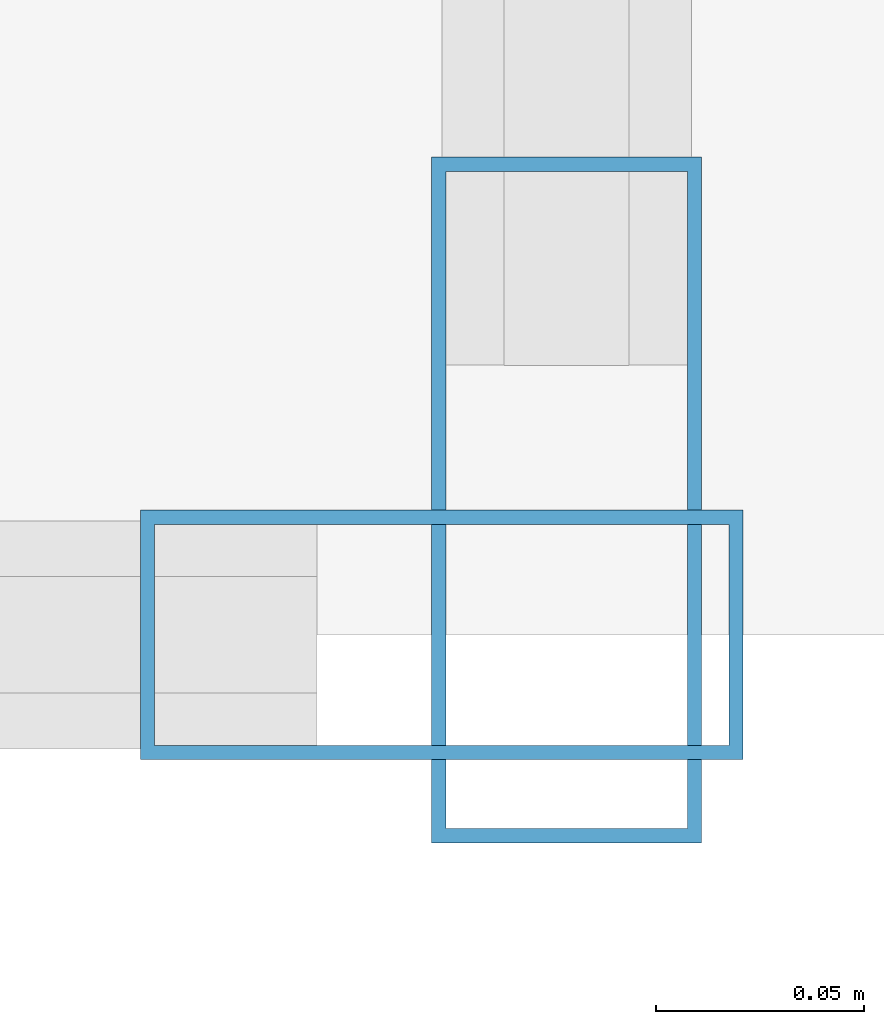
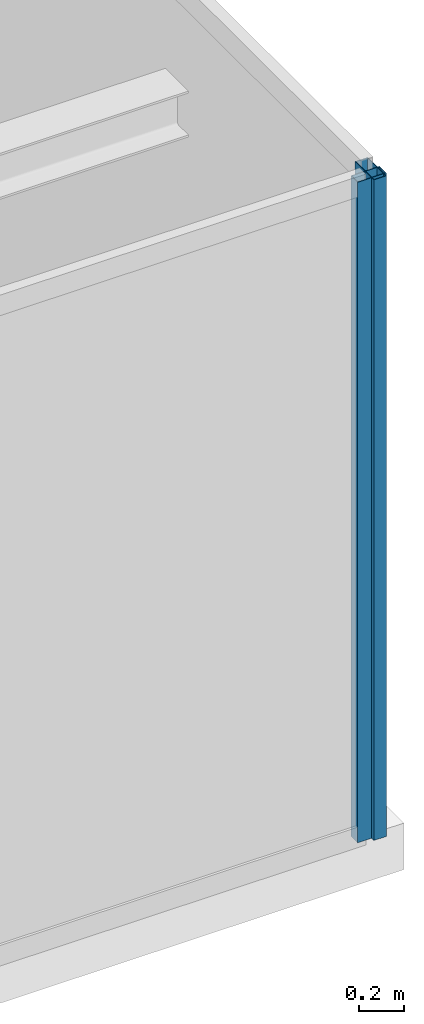
# One storey, part 17 of 30: 2 members, 2 elements without a shape of their own.
"""IFC4 building model written with IfcOpenShell, lengths in metres."""

from ifc_helpers import new_model, si_unit, direction, frame, origin, origin_2d, place, context, subcontext, project, spatial, hollow_rectangle, extrude, source, transform, mapped, material, layer, layer_set, material_profile, profile_set, type_object, type_shapes, element, aggregate, save


model = new_model("IFC4")

# Units and contexts
model_context = context("Model", 3, precision=1e-05, world=origin(), true_north=direction((0.0, 1.0)))
body_context = subcontext(model_context, "Body", "Model", "MODEL_VIEW")
ifc_project = project(units=[si_unit("LENGTHUNIT", "METRE"), si_unit("AREAUNIT", "SQUARE_METRE"), si_unit("VOLUMEUNIT", "CUBIC_METRE"), si_unit("PLANEANGLEUNIT", "RADIAN"), si_unit("MASSUNIT", "GRAM", prefix="KILO")], contexts=[model_context])

# Site, building, storey
site_placement = place(None, origin())
site = spatial("IfcSite", under=ifc_project, at=site_placement, CompositionType="ELEMENT")
building_placement = place(site_placement, origin())
building = spatial("IfcBuilding", under=site, at=building_placement, Name="Varnel Quay Broadcast Tower", CompositionType="ELEMENT")
storey_placement = place(building_placement, frame((0.0, 0.0, 222.60009765625)))
storey = spatial("IfcBuildingStorey", under=building, at=storey_placement, Name="L55", CompositionType="ELEMENT", Elevation=222.60009765625)

# Curtain wall, member
ifc_material = material(Name="Anodised Bronze Aluminium 6063-T6", Category="aluminium")
ifc_layer_1 = layer(ifc_material, 0.18994140625, Name="Anodised Bronze Aluminium 6063-T6")
ifc_layer_set_1 = layer_set([ifc_layer_1], Name="Anodised Bronze Aluminium 6063-T6")
curtain_wall_type_1 = type_object("IfcCurtainWallType", Name="CW_NotchCorner", PredefinedType="NOTDEFINED", material=ifc_layer_set_1)
curtain_wall_1_placement = place(storey_placement, origin())
curtain_wall_1 = element("IfcCurtainWall", 1, at=curtain_wall_1_placement, inside=storey, type_object=curtain_wall_type_1, Name="L55 SE Notch Curtain Wall", PredefinedType="NOTDEFINED")
ifc_material_profile_1 = material_profile(ifc_material, hollow_rectangle(XDim=0.06005859375, YDim=0.14501953125, WallThickness=0.00341796875, at=origin_2d()), Name="ALU60X145X3.5")
ifc_profile_set_1 = profile_set([ifc_material_profile_1], Name="Anodised Bronze Aluminium 6063-T6")
member_type_1 = type_object("IfcMemberType", Name="Mull_CWS-04", PredefinedType="MULLION", material=ifc_profile_set_1)
shared_shape_1 = source(origin(), body_context, "Body", "SweptSolid", [
    extrude(hollow_rectangle(XDim=0.06005859375, YDim=0.14501953125, WallThickness=0.00341796875, at=origin_2d()), origin(), (0.0, 0.0, 1.0), 3.5498046875),
])
type_shapes(member_type_1, [shared_shape_1])
member_1_placement = place(storey_placement, frame((58.320068359375, 13.60009765625, 0.0), z_axis=(0.0, 0.0, 1.0), x_axis=(0.0, 1.0, 0.0)))
member_1 = element("IfcMember", 2, at=member_1_placement, type_object=member_type_1, Name="CWS-04 mullion 2", PredefinedType="MULLION", context=body_context, shape_type="MappedRepresentation", body=[
    mapped(shared_shape_1, transform((0.0, 0.0, 0.0), x_axis=(1.0, 0.0, 0.0), y_axis=(0.0, 1.0, 0.0), z_axis=(0.0, 0.0, 1.0), scale=1.0)),
])
aggregate(curtain_wall_1, [member_1])

ifc_layer_2 = layer(ifc_material, 0.18994140625, Name="Anodised Bronze Aluminium 6063-T6")
ifc_layer_set_2 = layer_set([ifc_layer_2], Name="Anodised Bronze Aluminium 6063-T6")
curtain_wall_type_2 = type_object("IfcCurtainWallType", Name="CW_UpperTower", PredefinedType="NOTDEFINED", material=ifc_layer_set_2)
curtain_wall_2_placement = place(storey_placement, origin())
curtain_wall_2 = element("IfcCurtainWall", 3, at=curtain_wall_2_placement, inside=storey, type_object=curtain_wall_type_2, Name="L55 East Unitised Curtain Wall", PredefinedType="NOTDEFINED")
ifc_material_profile_2 = material_profile(ifc_material, hollow_rectangle(XDim=0.06494140625, YDim=0.1650390625, WallThickness=0.00341796875, at=origin_2d()), Name="ALU65X165X3.5")
ifc_profile_set_2 = profile_set([ifc_material_profile_2], Name="Anodised Bronze Aluminium 6063-T6")
member_type_2 = type_object("IfcMemberType", Name="Mull_CWS-03", PredefinedType="MULLION", material=ifc_profile_set_2)
shared_shape_2 = source(origin(), body_context, "Body", "SweptSolid", [
    extrude(hollow_rectangle(XDim=0.06494140625, YDim=0.1650390625, WallThickness=0.00341796875, at=origin_2d()), origin(), (0.0, 0.0, 1.0), 3.5498046875),
])
type_shapes(member_type_2, [shared_shape_2])
member_2_placement = place(storey_placement, frame((58.35009765625, 13.632568359375, 0.0), z_axis=(0.0, 0.0, 1.0), x_axis=(-1.0, 0.0, 0.0)))
member_2 = element("IfcMember", 4, at=member_2_placement, type_object=member_type_2, Name="CWS-03 mullion 1", PredefinedType="MULLION", context=body_context, shape_type="MappedRepresentation", body=[
    mapped(shared_shape_2, transform((0.0, 0.0, 0.0), x_axis=(1.0, 0.0, 0.0), y_axis=(0.0, 1.0, 0.0), z_axis=(0.0, 0.0, 1.0), scale=1.0)),
])
aggregate(curtain_wall_2, [member_2])

save(model, "model.ifc")
